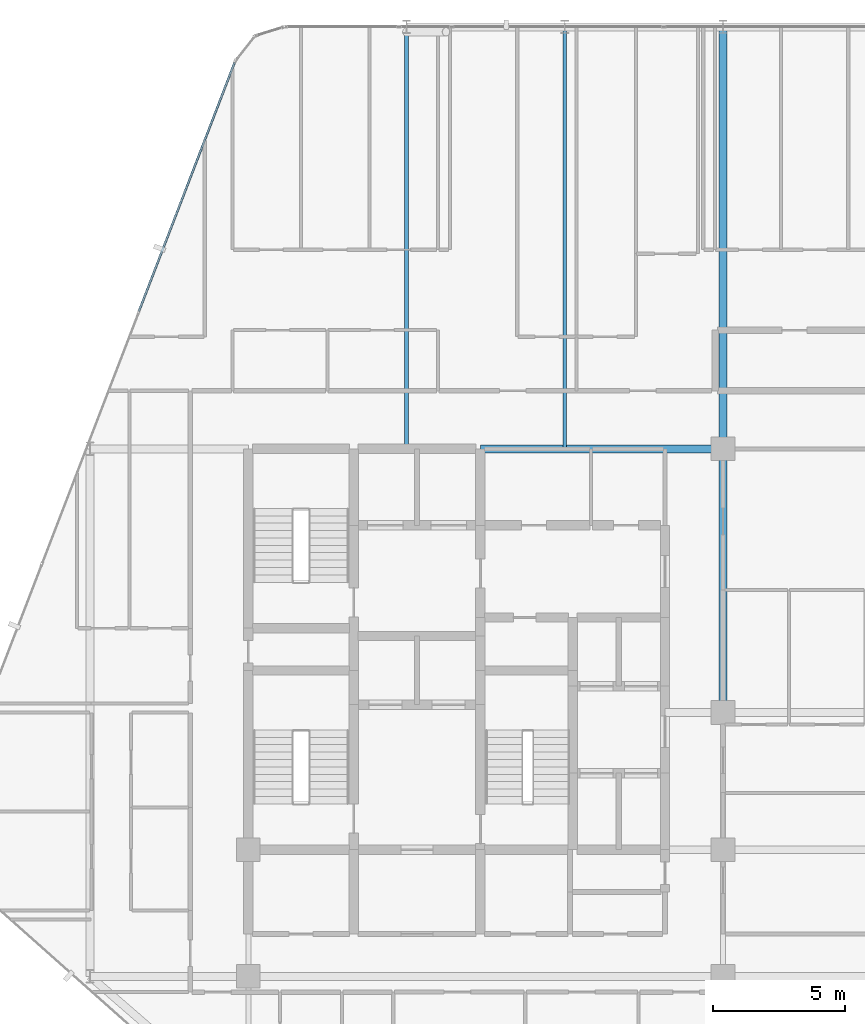
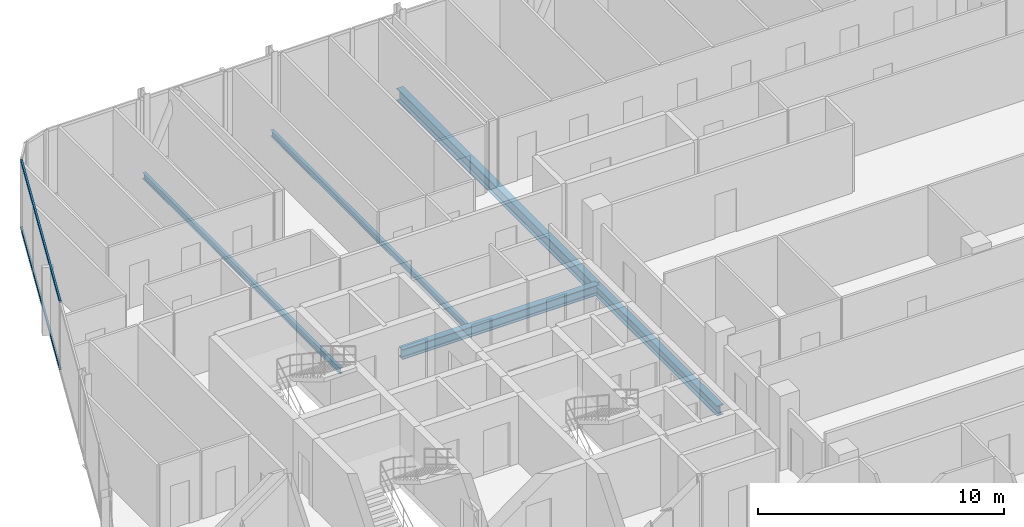
# One storey, part 16 of 31: 5 beams, 2 members, 1 element without a shape of its own.
"""IFC4 building model written with IfcOpenShell, lengths in metres."""

import ifcopenshell
import ifcopenshell.guid

model = None  # the IFC model being written
_history = None  # IfcOwnerHistory: only IFC2X3 demands one
_inside = {}  # id of a spatial element -> (the spatial element, [elements in it])
_under = {}  # id of a project, library or spatial element -> (it, [spatial elements below it])
_declared = {}  # id of a project -> (the project, [libraries it declares])
_typed = {}  # id of a type object -> (the type object, [elements of that type])
_made_of = {}  # id of a material, layer set ... -> (it, [elements and type objects made of it])


def new_model(schema):
    """Start an empty IFC model of exactly this schema.

    Asked for "IFC4X3", IfcOpenShell would pick the latest addendum, in which some entities
    have other attributes; the version numbers below select the first issue.
    IFC2X3 requires an IfcOwnerHistory on every rooted entity: one is made here for all.
    """
    global model, _history
    if schema == "IFC4X3":
        model = ifcopenshell.file(schema_version=(4, 3, 0, 0))
    else:
        model = ifcopenshell.file(schema=schema)
    _inside.clear()
    _under.clear()
    _declared.clear()
    _typed.clear()
    _made_of.clear()
    _history = None
    if model.schema == "IFC2X3":
        org = make("IfcOrganization", Name="unknown")
        user = make(
            "IfcPersonAndOrganization",
            ThePerson=make("IfcPerson", FamilyName="unknown"),
            TheOrganization=org,
        )
        app = make(
            "IfcApplication",
            ApplicationDeveloper=org,
            Version="unknown",
            ApplicationFullName="unknown",
            ApplicationIdentifier="unknown",
        )
        _history = make(
            "IfcOwnerHistory",
            OwningUser=user,
            OwningApplication=app,
            ChangeAction="ADDED",
            CreationDate=0,
        )
    return model


def make(cls, **values):
    """One entity of the class cls with the attributes given. An attribute that is None is left unset."""
    return model.create_entity(
        cls, **{name: value for name, value in values.items() if value is not None}
    )


def rooted(cls, **values):
    """An entity with a GlobalId (a new one), such as an element, a storey or a relation."""
    return make(cls, GlobalId=ifcopenshell.guid.new(), OwnerHistory=_history, **values)


def si_unit(unit_type, name, prefix=None):
    """IfcSIUnit, for example si_unit("LENGTHUNIT", "METRE", prefix="MILLI")."""
    return make("IfcSIUnit", UnitType=unit_type, Prefix=prefix, Name=name)


def assignment(units):
    """IfcUnitAssignment: the units of a project."""
    return None if units is None else make("IfcUnitAssignment", Units=units)


def point(xyz):
    """IfcCartesianPoint."""
    return None if xyz is None else make("IfcCartesianPoint", Coordinates=xyz)


def direction(xyz):
    """IfcDirection."""
    return None if xyz is None else make("IfcDirection", DirectionRatios=xyz)


def frame(location, z_axis=None, x_axis=None):
    """IfcAxis2Placement3D, a coordinate frame: its origin and axes. An axis left out is left unset."""
    return make(
        "IfcAxis2Placement3D",
        Location=point(location),
        Axis=direction(z_axis),
        RefDirection=direction(x_axis),
    )


def frame_2d(location, x_axis=None):
    """IfcAxis2Placement2D, a coordinate frame in the plane: its origin and x axis."""
    return make(
        "IfcAxis2Placement2D", Location=point(location), RefDirection=direction(x_axis)
    )


def origin():
    """The frame at (0, 0, 0) with its axes left unset."""
    return frame((0.0, 0.0, 0.0))


def origin_2d():
    """The frame at (0, 0) in the plane with its x axis left unset."""
    return frame_2d((0.0, 0.0))


def place(relative_to, where):
    """IfcLocalPlacement: puts the frame where relative to a parent placement (None: the world)."""
    return make(
        "IfcLocalPlacement", PlacementRelTo=relative_to, RelativePlacement=where
    )


def context(
    kind, dimensions, precision=None, world=None, true_north=None, identifier=None
):
    """IfcGeometricRepresentationContext, for example the 3D "Model" context."""
    return make(
        "IfcGeometricRepresentationContext",
        ContextIdentifier=identifier,
        ContextType=kind,
        CoordinateSpaceDimension=dimensions,
        Precision=precision,
        WorldCoordinateSystem=world,
        TrueNorth=true_north,
    )


def subcontext(parent, identifier, kind, view, scale=None):
    """IfcGeometricRepresentationSubContext, for example "Body" below "Model"."""
    return make(
        "IfcGeometricRepresentationSubContext",
        ContextIdentifier=identifier,
        ContextType=kind,
        ParentContext=parent,
        TargetScale=scale,
        TargetView=view,
    )


def project(units=None, contexts=None):
    """IfcProject with its units and contexts."""
    return rooted(
        "IfcProject",
        Name="project",
        RepresentationContexts=contexts,
        UnitsInContext=assignment(units),
    )


def spatial(cls, under=None, at=None, **own):
    """A site, building, storey or space (cls), placed at a placement, below another one or the project."""
    s = rooted(cls, ObjectPlacement=at, **own)
    if under is not None:
        _under.setdefault(under.id(), (under, []))[1].append(s)
    return s


def profile(cls, at=None, kind="AREA", **sizes):
    """A parametric profile (cls). Its sizes go by their IFC names, for example OverallWidth=200.0."""
    return make(cls, ProfileType=kind, Position=at, **sizes)


def hollow_rectangle(**sizes):
    """IfcRectangleHollowProfileDef."""
    return profile("IfcRectangleHollowProfileDef", **sizes)


def i_section(**sizes):
    """IfcIShapeProfileDef."""
    return profile("IfcIShapeProfileDef", **sizes)


def extrude(swept, where, along, depth):
    """IfcExtrudedAreaSolid: the profile swept, set in the frame where, extruded along a direction by depth."""
    return make(
        "IfcExtrudedAreaSolid",
        SweptArea=swept,
        Position=where,
        ExtrudedDirection=direction(along),
        Depth=depth,
    )


def shape(context_of_items, identifier, shape_type, items):
    """IfcShapeRepresentation: the items that make up one representation, for example the "Body"."""
    return make(
        "IfcShapeRepresentation",
        ContextOfItems=context_of_items,
        RepresentationIdentifier=identifier,
        RepresentationType=shape_type,
        Items=items,
    )


def material(Name=None, Category=None):
    """IfcMaterial."""
    return make("IfcMaterial", Name=Name, Category=Category)


def layer(
    of_material, thickness, ventilated=None, Name=None, Category=None, Priority=None
):
    """IfcMaterialLayer: one layer of a wall or slab, of a material (None: an air gap)."""
    return make(
        "IfcMaterialLayer",
        Material=of_material,
        LayerThickness=thickness,
        IsVentilated=ventilated,
        Name=Name,
        Category=Category,
        Priority=Priority,
    )


def layer_set(layers, Name=None):
    """IfcMaterialLayerSet."""
    return make("IfcMaterialLayerSet", MaterialLayers=layers, LayerSetName=Name)


def material_profile(
    of_material, cross_section, Name=None, Category=None, Priority=None
):
    """IfcMaterialProfile: a cross section and its material."""
    return make(
        "IfcMaterialProfile",
        Name=Name,
        Material=of_material,
        Profile=cross_section,
        Priority=Priority,
        Category=Category,
    )


def profile_set(profiles, Name=None, composite=None):
    """IfcMaterialProfileSet."""
    return make(
        "IfcMaterialProfileSet",
        Name=Name,
        MaterialProfiles=profiles,
        CompositeProfile=composite,
    )


def made_of(thing, what):
    """Note that an element or type object is made of a material, layer set ...; save() writes the relation."""
    if what is not None:
        _made_of.setdefault(what.id(), (what, []))[1].append(thing)
    return thing


def type_object(cls, material=None, **own):
    """A type object (cls), such as IfcWallType, which elements share."""
    return made_of(rooted(cls, **own), material)


def element(
    cls,
    number,
    at=None,
    inside=None,
    cuts=None,
    type_object=None,
    material=None,
    context=None,
    identifier="Body",
    shape_type=None,
    held_by="IfcProductDefinitionShape",
    body=None,
    shapes=None,
    **own,
):
    """One element of the class cls, such as IfcWall. Its Tag is "e" and its number.

    at: its placement. inside: the storey or other place that contains it. cuts: it is an
    opening in that element (IfcRelVoidsElement). A single representation is given by context,
    identifier, shape_type and body (its items); several are given by shapes. held_by: the class
    of the entity that holds the representations. save() writes the other relations.
    """
    e = rooted(cls, Tag="e%d" % number, ObjectPlacement=at, **own)
    if body is not None:
        shapes = [shape(context, identifier, shape_type, body)]
    if shapes is not None:
        e.Representation = make(held_by, Representations=shapes)
    if inside is not None:
        _inside.setdefault(inside.id(), (inside, []))[1].append(e)
    if cuts is not None:
        rooted(
            "IfcRelVoidsElement", RelatingBuildingElement=cuts, RelatedOpeningElement=e
        )
    if type_object is not None:
        _typed.setdefault(type_object.id(), (type_object, []))[1].append(e)
    return made_of(e, material)


def aggregate(whole, parts):
    """IfcRelAggregates: a whole, such as a stair, and the parts it consists of."""
    return rooted("IfcRelAggregates", RelatingObject=whole, RelatedObjects=parts)


def save(model, path):
    """Write the relations noted so far, then the file.

    IfcRelAggregates (storeys below a building ...), IfcRelContainedInSpatialStructure (elements
    in a storey), IfcRelDefinesByType, IfcRelAssociatesMaterial and IfcRelDeclares: one each for
    every whole, place, type object, material and project.
    """
    for whole, parts in _under.values():
        aggregate(whole, parts)
    for where, things in _inside.values():
        rooted(
            "IfcRelContainedInSpatialStructure",
            RelatedElements=things,
            RelatingStructure=where,
        )
    for kind, things in _typed.values():
        rooted("IfcRelDefinesByType", RelatedObjects=things, RelatingType=kind)
    for what, things in _made_of.values():
        rooted("IfcRelAssociatesMaterial", RelatedObjects=things, RelatingMaterial=what)
    for by, libraries in _declared.values():
        rooted("IfcRelDeclares", RelatingContext=by, RelatedDefinitions=libraries)
    model.write(path)


model = new_model("IFC4")

# Units and contexts
model_context = context("Model", 3, precision=1e-05, world=origin(), true_north=direction((0.0, 1.0)))
body_context = subcontext(model_context, "Body", "Model", "MODEL_VIEW")
ifc_project = project(units=[si_unit("LENGTHUNIT", "METRE"), si_unit("AREAUNIT", "SQUARE_METRE"), si_unit("VOLUMEUNIT", "CUBIC_METRE"), si_unit("PLANEANGLEUNIT", "RADIAN"), si_unit("MASSUNIT", "GRAM", prefix="KILO")], contexts=[model_context])

# Site, building, storey
site_placement = place(None, origin())
site = spatial("IfcSite", under=ifc_project, at=site_placement, CompositionType="ELEMENT")
building_placement = place(site_placement, origin())
building = spatial("IfcBuilding", under=site, at=building_placement, Name="Keshet Zoharim Tower", CompositionType="ELEMENT")
storey_placement = place(building_placement, frame((0.0, 0.0, 148.300048828125)))
storey = spatial("IfcBuildingStorey", under=building, at=storey_placement, Name="L36", CompositionType="ELEMENT", Elevation=148.300048828125)

# Beams
ifc_material_1 = material(Name="Steel S355", Category="steel")
ifc_material_profile_1 = material_profile(ifc_material_1, i_section(OverallWidth=0.14990234375, OverallDepth=0.300048828125, WebThickness=0.007080078125, FlangeThickness=0.0107421875, FilletRadius=0.014892578125, at=origin_2d()), Name="IPE300")
ifc_profile_set_1 = profile_set([ifc_material_profile_1], Name="Steel S355")
beam_type_1 = type_object("IfcBeamType", Name="BM-JST-IP300", PredefinedType="JOIST", material=ifc_profile_set_1)
for number, where, z_axis, x_axis, name in (
    (1, (21.0, 37.89990234375, -0.465087890625), (0.0, 1.0, 0.0), (-1.0, 0.0, 0.0), "L36 Secondary Floor Joist J-001"),
    (2, (27.0, 37.89990234375, -0.465087890625), (0.0, 1.0, 0.0), (-1.0, 0.0, 0.0), "L36 Secondary Floor Joist J-002"),
):
    element("IfcBeam", number, at=place(storey_placement, frame(where, z_axis=z_axis, x_axis=x_axis)), inside=storey, type_object=beam_type_1, Name=name, PredefinedType="JOIST", context=body_context, shape_type="SweptSolid", body=[
        extrude(i_section(OverallWidth=0.14990234375, OverallDepth=0.300048828125, WebThickness=0.007080078125, FlangeThickness=0.0107421875, FilletRadius=0.014892578125, at=origin_2d()), origin(), (0.0, 0.0, 1.0), 16.0),
    ])
ifc_material_profile_2 = material_profile(ifc_material_1, i_section(OverallWidth=0.300048828125, OverallDepth=0.60009765625, WebThickness=0.015380859375, FlangeThickness=0.030029296875, FilletRadius=0.027099609375, at=origin_2d()), Name="HEB600")
ifc_profile_set_2 = profile_set([ifc_material_profile_2], Name="Steel S355")
beam_type_2 = type_object("IfcBeamType", Name="BM-LNG-HB600", PredefinedType="BEAM", material=ifc_profile_set_2)
beam_1_placement = place(storey_placement, frame((33.0, 37.89990234375, -0.614990234375), z_axis=(0.0, 1.0, 0.0), x_axis=(-1.0, 0.0, 0.0)))
element("IfcBeam", 3, at=beam_1_placement, inside=storey, type_object=beam_type_2, Name="L36 Primary Girder Y-011", PredefinedType="BEAM", context=body_context, shape_type="SweptSolid", body=[
    extrude(i_section(OverallWidth=0.300048828125, OverallDepth=0.60009765625, WebThickness=0.015380859375, FlangeThickness=0.030029296875, FilletRadius=0.027099609375, at=origin_2d()), origin(), (0.0, 0.0, 1.0), 16.0),
])
ifc_material_profile_3 = material_profile(ifc_material_1, i_section(OverallWidth=0.300048828125, OverallDepth=0.5, WebThickness=0.014404296875, FlangeThickness=0.028076171875, FilletRadius=0.027099609375, at=origin_2d()), Name="HEB500")
ifc_profile_set_3 = profile_set([ifc_material_profile_3], Name="Steel S355")
beam_type_3 = type_object("IfcBeamType", Name="BM-MED-HB500", PredefinedType="BEAM", material=ifc_profile_set_3)
beam_2_placement = place(storey_placement, frame((23.800048828125, 37.89990234375, -0.56494140625), z_axis=(1.0, 0.0, 0.0), x_axis=(0.0, 1.0, 0.0)))
element("IfcBeam", 4, at=beam_2_placement, inside=storey, type_object=beam_type_3, Name="L36 Primary Girder X-019", PredefinedType="BEAM", context=body_context, shape_type="SweptSolid", body=[
    extrude(i_section(OverallWidth=0.300048828125, OverallDepth=0.5, WebThickness=0.014404296875, FlangeThickness=0.028076171875, FilletRadius=0.027099609375, at=origin_2d()), origin(), (0.0, 0.0, 1.0), 9.199951171875),
])
beam_3_placement = place(storey_placement, frame((33.0, 27.89990234375, -0.56494140625), z_axis=(0.0, 1.0, 0.0), x_axis=(-1.0, 0.0, 0.0)))
element("IfcBeam", 5, at=beam_3_placement, inside=storey, type_object=beam_type_3, Name="L36 Primary Girder Y-010", PredefinedType="BEAM", context=body_context, shape_type="SweptSolid", body=[
    extrude(i_section(OverallWidth=0.300048828125, OverallDepth=0.5, WebThickness=0.014404296875, FlangeThickness=0.028076171875, FilletRadius=0.027099609375, at=origin_2d()), origin(), (0.0, 0.0, 1.0), 10.0),
])

# Curtain wall, members
ifc_material_2 = material(Name="Aluminium 6063-T6", Category="aluminium")
ifc_layer = layer(ifc_material_2, 0.159912109375)
ifc_layer_set = layer_set([ifc_layer], Name="Aluminium 6063-T6")
curtain_wall_type = type_object("IfcCurtainWallType", Name="CW-SYS-03", PredefinedType="NOTDEFINED", material=ifc_layer_set)
curtain_wall_placement = place(storey_placement, origin())
curtain_wall = element("IfcCurtainWall", 6, at=curtain_wall_placement, inside=storey, type_object=curtain_wall_type, Name="L36 Unitised Curtain Wall 10", PredefinedType="NOTDEFINED")
ifc_material_profile_4 = material_profile(ifc_material_2, hollow_rectangle(XDim=0.080078125, YDim=0.139892578125, WallThickness=0.00390625, at=origin_2d()), Name="TRN-80x140")
ifc_profile_set_4 = profile_set([ifc_material_profile_4], Name="Aluminium 6063-T6")
member_type = type_object("IfcMemberType", Name="CWT-T14", PredefinedType="USERDEFINED", material=ifc_profile_set_4)
member_1_placement = place(storey_placement, frame((10.849609375, 43.10888671875, 0.034912109375), z_axis=(0.358985546764, 0.933343118694, 0.0), x_axis=(-0.933343118694, 0.358985546764, 0.0)))
member_1 = element("IfcMember", 7, at=member_1_placement, type_object=member_type, Name="CW-03 transom 3.1", ObjectType="TRANSOM", PredefinedType="USERDEFINED", context=body_context, shape_type="SweptSolid", body=[
    extrude(hollow_rectangle(XDim=0.080078125, YDim=0.139892578125, WallThickness=0.00390625, at=origin_2d()), origin(), (0.0, 0.0, 1.0), 10.118408203125),
])
member_2_placement = place(storey_placement, frame((10.849609375, 43.10888671875, 3.349853515625), z_axis=(0.358985546764, 0.933343118694, 0.0), x_axis=(-0.933343118694, 0.358985546764, 0.0)))
member_2 = element("IfcMember", 8, at=member_2_placement, type_object=member_type, Name="CW-03 transom 3.2", ObjectType="TRANSOM", PredefinedType="USERDEFINED", context=body_context, shape_type="SweptSolid", body=[
    extrude(hollow_rectangle(XDim=0.080078125, YDim=0.139892578125, WallThickness=0.00390625, at=origin_2d()), origin(), (0.0, 0.0, 1.0), 10.118408203125),
])
aggregate(curtain_wall, [member_1, member_2])

save(model, "model.ifc")
